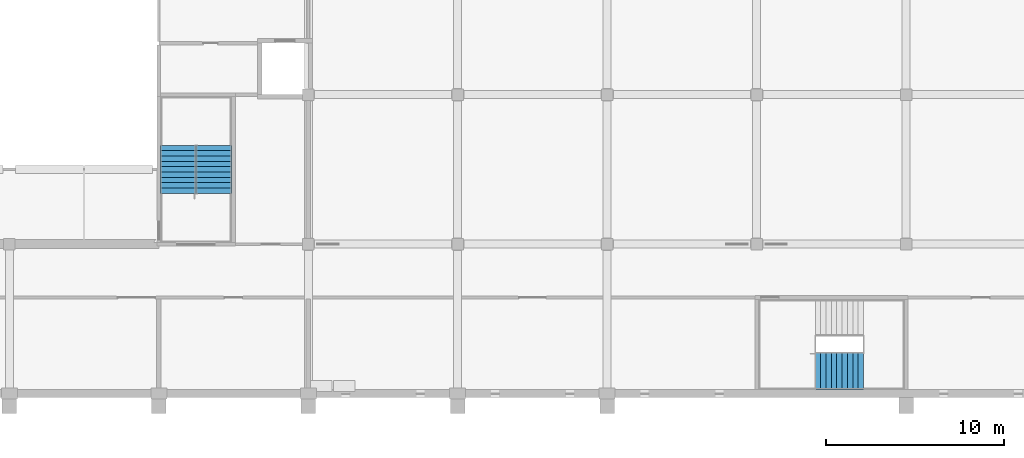
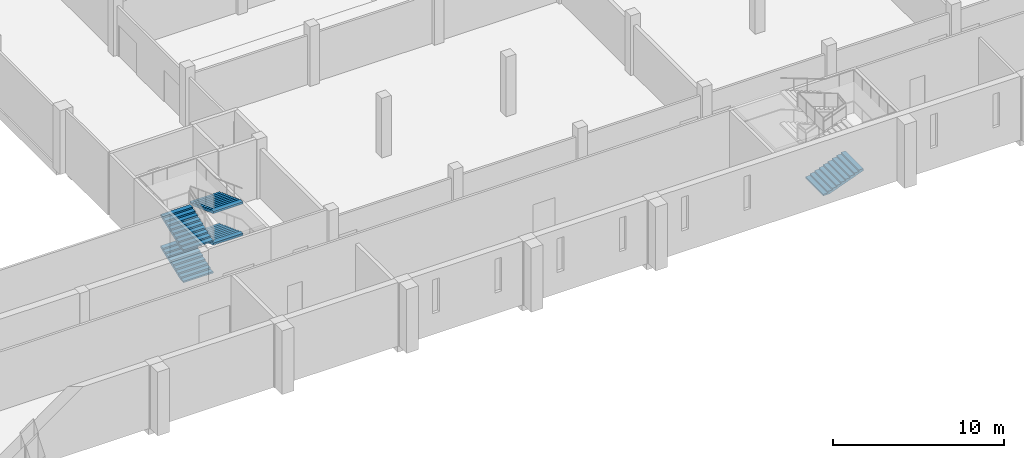
# One storey, part 44 of 64: 5 stair flights, 2 elements without a shape of their own.
"""IFC4 building model written with IfcOpenShell, lengths in metres."""

from ifc_helpers import new_model, si_unit, direction, frame, origin, place, context, subcontext, project, spatial, faceted_brep, material, type_object, element, aggregate, save


model = new_model("IFC4")

# Units and contexts
model_context = context("Model", 3, precision=1e-05, world=origin(), true_north=direction((0.0, 1.0)))
body_context = subcontext(model_context, "Body", "Model", "MODEL_VIEW")
ifc_project = project(units=[si_unit("LENGTHUNIT", "METRE"), si_unit("AREAUNIT", "SQUARE_METRE"), si_unit("VOLUMEUNIT", "CUBIC_METRE"), si_unit("PLANEANGLEUNIT", "RADIAN"), si_unit("MASSUNIT", "GRAM", prefix="KILO")], contexts=[model_context])

# Site, building, storey
site_placement = place(None, origin())
site = spatial("IfcSite", under=ifc_project, at=site_placement, CompositionType="ELEMENT")
building_placement = place(site_placement, origin())
building = spatial("IfcBuilding", under=site, at=building_placement, Name="Rulbaag Community and Learning Centre", CompositionType="ELEMENT")
storey_placement = place(building_placement, frame((0.0, 0.0, 5.39990234375)))
storey = spatial("IfcBuildingStorey", under=building, at=storey_placement, Name="L01", CompositionType="ELEMENT", Elevation=5.39990234375)

# Stair, stair flights
ifc_material = material(Name="Concrete M40", Category="concrete")
stair_type_1 = type_object("IfcStairType", Name="ST-2000 STAIR 2000 WIDE", PredefinedType="HALF_TURN_STAIR", material=ifc_material)
stair_1_placement = place(storey_placement, origin())
stair_1 = element("IfcStair", 1, at=stair_1_placement, inside=storey, type_object=stair_type_1, Name="Stair ST-H2 L01", PredefinedType="HALF_TURN_STAIR")
stair_flight_type_1 = type_object("IfcStairFlightType", Name="FL-2000 FLIGHT 2000 WIDE Concrete M40", PredefinedType="STRAIGHT", material=ifc_material)
stair_flight_1_placement = place(storey_placement, frame((85.10009765625, 11.25, 0.0), z_axis=(0.0, 0.0, 1.0), x_axis=(0.0, 1.0, 0.0)))
stair_flight_1 = element("IfcStairFlight", 2, at=stair_flight_1_placement, type_object=stair_flight_type_1, Name="ST-H2 flight 1", NumberOfRisers=10, NumberOfTreads=9, PredefinedType="STRAIGHT", RiserHeight=0.1125, TreadLength=0.3, context=body_context, shape_type="Brep", body=[
    faceted_brep([(0.3984375, -1.0, 0.0), (2.699951171875, -1.0, 0.863037109375), (2.699951171875, -1.0, 1.012451171875), (2.39990234375, -1.0, 1.012451171875), (2.39990234375, -1.0, 0.89990234375), (2.10009765625, -1.0, 0.89990234375), (2.10009765625, -1.0, 0.78759765625), (1.800048828125, -1.0, 0.78759765625), (1.800048828125, -1.0, 0.675048828125), (1.5, -1.0, 0.675048828125), (1.5, -1.0, 0.5625), (1.199951171875, -1.0, 0.5625), (1.199951171875, -1.0, 0.449951171875), (0.89990234375, -1.0, 0.449951171875), (0.89990234375, -1.0, 0.33740234375), (0.60009765625, -1.0, 0.33740234375), (0.60009765625, -1.0, 0.22509765625), (0.300048828125, -1.0, 0.22509765625), (0.300048828125, -1.0, 0.112548828125), (0.0, -1.0, 0.112548828125), (0.0, -1.0, 0.0), (0.0, 1.0, 0.0), (0.0, 1.0, 0.112548828125), (0.300048828125, 1.0, 0.112548828125), (0.300048828125, 1.0, 0.22509765625), (0.60009765625, 1.0, 0.22509765625), (0.60009765625, 1.0, 0.33740234375), (0.89990234375, 1.0, 0.33740234375), (0.89990234375, 1.0, 0.449951171875), (1.199951171875, 1.0, 0.449951171875), (1.199951171875, 1.0, 0.5625), (1.5, 1.0, 0.5625), (1.5, 1.0, 0.675048828125), (1.800048828125, 1.0, 0.675048828125), (1.800048828125, 1.0, 0.78759765625), (2.10009765625, 1.0, 0.78759765625), (2.10009765625, 1.0, 0.89990234375), (2.39990234375, 1.0, 0.89990234375), (2.39990234375, 1.0, 1.012451171875), (2.699951171875, 1.0, 1.012451171875), (2.699951171875, 1.0, 0.863037109375), (0.3984375, 1.0, 0.0), (0.0, -0.333251953125, 0.112548828125), (0.0, -0.333251953125, 0.0), (0.0, 0.333251953125, 0.112548828125), (0.0, 0.333251953125, 0.0), (0.300048828125, -0.333251953125, 0.112548828125), (0.300048828125, 0.333251953125, 0.112548828125), (0.300048828125, -0.333251953125, 0.22509765625), (0.300048828125, 0.333251953125, 0.22509765625), (0.60009765625, -0.333251953125, 0.22509765625), (0.60009765625, 0.333251953125, 0.22509765625), (0.60009765625, -0.333251953125, 0.33740234375), (0.60009765625, 0.333251953125, 0.33740234375), (0.89990234375, -0.333251953125, 0.33740234375), (0.89990234375, 0.333251953125, 0.33740234375), (0.89990234375, -0.333251953125, 0.449951171875), (0.89990234375, 0.333251953125, 0.449951171875), (1.199951171875, -0.333251953125, 0.449951171875), (1.199951171875, 0.333251953125, 0.449951171875), (1.199951171875, -0.333251953125, 0.5625), (1.199951171875, 0.333251953125, 0.5625), (1.5, -0.333251953125, 0.5625), (1.5, 0.333251953125, 0.5625), (1.5, -0.333251953125, 0.675048828125), (1.5, 0.333251953125, 0.675048828125), (1.800048828125, -0.333251953125, 0.675048828125), (1.800048828125, 0.333251953125, 0.675048828125), (1.800048828125, -0.333251953125, 0.78759765625), (1.800048828125, 0.333251953125, 0.78759765625), (2.10009765625, -0.333251953125, 0.78759765625), (2.10009765625, 0.333251953125, 0.78759765625), (2.10009765625, -0.333251953125, 0.89990234375), (2.10009765625, 0.333251953125, 0.89990234375), (2.39990234375, -0.333251953125, 0.89990234375), (2.39990234375, 0.333251953125, 0.89990234375), (2.39990234375, -0.333251953125, 1.012451171875), (2.39990234375, 0.333251953125, 1.012451171875), (2.699951171875, -0.333251953125, 1.012451171875), (2.699951171875, 0.333251953125, 1.012451171875), (2.699951171875, -0.333251953125, 0.863037109375), (2.699951171875, 0.333251953125, 0.863037109375), (0.3984375, -0.333251953125, 0.0), (0.3984375, 0.333251953125, 0.0)], [[[0, 1, 2, 3, 4, 5, 6, 7, 8, 9, 10, 11, 12, 13, 14, 15, 16, 17, 18, 19, 20]], [[21, 22, 23, 24, 25, 26, 27, 28, 29, 30, 31, 32, 33, 34, 35, 36, 37, 38, 39, 40, 41]], [[20, 19, 42, 43]], [[43, 42, 44, 45]], [[45, 44, 22, 21]], [[19, 18, 46, 42]], [[42, 46, 47, 44]], [[44, 47, 23, 22]], [[18, 17, 48, 46]], [[46, 48, 49, 47]], [[47, 49, 24, 23]], [[17, 16, 50, 48]], [[48, 50, 51, 49]], [[49, 51, 25, 24]], [[16, 15, 52, 50]], [[50, 52, 53, 51]], [[51, 53, 26, 25]], [[15, 14, 54, 52]], [[52, 54, 55, 53]], [[53, 55, 27, 26]], [[14, 13, 56, 54]], [[54, 56, 57, 55]], [[55, 57, 28, 27]], [[13, 12, 58, 56]], [[56, 58, 59, 57]], [[57, 59, 29, 28]], [[12, 11, 60, 58]], [[58, 60, 61, 59]], [[59, 61, 30, 29]], [[11, 10, 62, 60]], [[60, 62, 63, 61]], [[61, 63, 31, 30]], [[10, 9, 64, 62]], [[62, 64, 65, 63]], [[63, 65, 32, 31]], [[9, 8, 66, 64]], [[64, 66, 67, 65]], [[65, 67, 33, 32]], [[8, 7, 68, 66]], [[66, 68, 69, 67]], [[67, 69, 34, 33]], [[7, 6, 70, 68]], [[68, 70, 71, 69]], [[69, 71, 35, 34]], [[6, 5, 72, 70]], [[70, 72, 73, 71]], [[71, 73, 36, 35]], [[5, 4, 74, 72]], [[72, 74, 75, 73]], [[73, 75, 37, 36]], [[4, 3, 76, 74]], [[74, 76, 77, 75]], [[75, 77, 38, 37]], [[3, 2, 78, 76]], [[76, 78, 79, 77]], [[77, 79, 39, 38]], [[2, 1, 80, 78]], [[78, 80, 81, 79]], [[79, 81, 40, 39]], [[1, 0, 82, 80]], [[80, 82, 83, 81]], [[81, 83, 41, 40]], [[0, 20, 43, 82]], [[82, 43, 45, 83]], [[83, 45, 21, 41]]]),
])
stair_flight_2_placement = place(storey_placement, frame((87.10009765625, 13.949951171875, 1.125), z_axis=(0.0, 0.0, 1.0), x_axis=(0.0, -1.0, 0.0)))
stair_flight_2 = element("IfcStairFlight", 3, at=stair_flight_2_placement, type_object=stair_flight_type_1, Name="ST-H2 flight 2", NumberOfRisers=10, NumberOfTreads=9, PredefinedType="STRAIGHT", RiserHeight=0.1125, TreadLength=0.3, context=body_context, shape_type="Brep", body=[
    faceted_brep([(0.3984375, -1.0, 0.0), (2.699951171875, -1.0, 0.863037109375), (2.699951171875, -1.0, 1.012451171875), (2.39990234375, -1.0, 1.012451171875), (2.39990234375, -1.0, 0.89990234375), (2.10009765625, -1.0, 0.89990234375), (2.10009765625, -1.0, 0.78759765625), (1.800048828125, -1.0, 0.78759765625), (1.800048828125, -1.0, 0.675048828125), (1.5, -1.0, 0.675048828125), (1.5, -1.0, 0.5625), (1.199951171875, -1.0, 0.5625), (1.199951171875, -1.0, 0.449951171875), (0.89990234375, -1.0, 0.449951171875), (0.89990234375, -1.0, 0.33740234375), (0.60009765625, -1.0, 0.33740234375), (0.60009765625, -1.0, 0.22509765625), (0.300048828125, -1.0, 0.22509765625), (0.300048828125, -1.0, 0.112548828125), (0.0, -1.0, 0.112548828125), (0.0, -1.0, 0.0), (0.0, 1.0, 0.0), (0.0, 1.0, 0.112548828125), (0.300048828125, 1.0, 0.112548828125), (0.300048828125, 1.0, 0.22509765625), (0.60009765625, 1.0, 0.22509765625), (0.60009765625, 1.0, 0.33740234375), (0.89990234375, 1.0, 0.33740234375), (0.89990234375, 1.0, 0.449951171875), (1.199951171875, 1.0, 0.449951171875), (1.199951171875, 1.0, 0.5625), (1.5, 1.0, 0.5625), (1.5, 1.0, 0.675048828125), (1.800048828125, 1.0, 0.675048828125), (1.800048828125, 1.0, 0.78759765625), (2.10009765625, 1.0, 0.78759765625), (2.10009765625, 1.0, 0.89990234375), (2.39990234375, 1.0, 0.89990234375), (2.39990234375, 1.0, 1.012451171875), (2.699951171875, 1.0, 1.012451171875), (2.699951171875, 1.0, 0.863037109375), (0.3984375, 1.0, 0.0), (0.0, -0.333251953125, 0.112548828125), (0.0, -0.333251953125, 0.0), (0.0, 0.333251953125, 0.112548828125), (0.0, 0.333251953125, 0.0), (0.300048828125, -0.333251953125, 0.112548828125), (0.300048828125, 0.333251953125, 0.112548828125), (0.300048828125, -0.333251953125, 0.22509765625), (0.300048828125, 0.333251953125, 0.22509765625), (0.60009765625, -0.333251953125, 0.22509765625), (0.60009765625, 0.333251953125, 0.22509765625), (0.60009765625, -0.333251953125, 0.33740234375), (0.60009765625, 0.333251953125, 0.33740234375), (0.89990234375, -0.333251953125, 0.33740234375), (0.89990234375, 0.333251953125, 0.33740234375), (0.89990234375, -0.333251953125, 0.449951171875), (0.89990234375, 0.333251953125, 0.449951171875), (1.199951171875, -0.333251953125, 0.449951171875), (1.199951171875, 0.333251953125, 0.449951171875), (1.199951171875, -0.333251953125, 0.5625), (1.199951171875, 0.333251953125, 0.5625), (1.5, -0.333251953125, 0.5625), (1.5, 0.333251953125, 0.5625), (1.5, -0.333251953125, 0.675048828125), (1.5, 0.333251953125, 0.675048828125), (1.800048828125, -0.333251953125, 0.675048828125), (1.800048828125, 0.333251953125, 0.675048828125), (1.800048828125, -0.333251953125, 0.78759765625), (1.800048828125, 0.333251953125, 0.78759765625), (2.10009765625, -0.333251953125, 0.78759765625), (2.10009765625, 0.333251953125, 0.78759765625), (2.10009765625, -0.333251953125, 0.89990234375), (2.10009765625, 0.333251953125, 0.89990234375), (2.39990234375, -0.333251953125, 0.89990234375), (2.39990234375, 0.333251953125, 0.89990234375), (2.39990234375, -0.333251953125, 1.012451171875), (2.39990234375, 0.333251953125, 1.012451171875), (2.699951171875, -0.333251953125, 1.012451171875), (2.699951171875, 0.333251953125, 1.012451171875), (2.699951171875, -0.333251953125, 0.863037109375), (2.699951171875, 0.333251953125, 0.863037109375), (0.3984375, -0.333251953125, 0.0), (0.3984375, 0.333251953125, 0.0)], [[[0, 1, 2, 3, 4, 5, 6, 7, 8, 9, 10, 11, 12, 13, 14, 15, 16, 17, 18, 19, 20]], [[21, 22, 23, 24, 25, 26, 27, 28, 29, 30, 31, 32, 33, 34, 35, 36, 37, 38, 39, 40, 41]], [[20, 19, 42, 43]], [[43, 42, 44, 45]], [[45, 44, 22, 21]], [[19, 18, 46, 42]], [[42, 46, 47, 44]], [[44, 47, 23, 22]], [[18, 17, 48, 46]], [[46, 48, 49, 47]], [[47, 49, 24, 23]], [[17, 16, 50, 48]], [[48, 50, 51, 49]], [[49, 51, 25, 24]], [[16, 15, 52, 50]], [[50, 52, 53, 51]], [[51, 53, 26, 25]], [[15, 14, 54, 52]], [[52, 54, 55, 53]], [[53, 55, 27, 26]], [[14, 13, 56, 54]], [[54, 56, 57, 55]], [[55, 57, 28, 27]], [[13, 12, 58, 56]], [[56, 58, 59, 57]], [[57, 59, 29, 28]], [[12, 11, 60, 58]], [[58, 60, 61, 59]], [[59, 61, 30, 29]], [[11, 10, 62, 60]], [[60, 62, 63, 61]], [[61, 63, 31, 30]], [[10, 9, 64, 62]], [[62, 64, 65, 63]], [[63, 65, 32, 31]], [[9, 8, 66, 64]], [[64, 66, 67, 65]], [[65, 67, 33, 32]], [[8, 7, 68, 66]], [[66, 68, 69, 67]], [[67, 69, 34, 33]], [[7, 6, 70, 68]], [[68, 70, 71, 69]], [[69, 71, 35, 34]], [[6, 5, 72, 70]], [[70, 72, 73, 71]], [[71, 73, 36, 35]], [[5, 4, 74, 72]], [[72, 74, 75, 73]], [[73, 75, 37, 36]], [[4, 3, 76, 74]], [[74, 76, 77, 75]], [[75, 77, 38, 37]], [[3, 2, 78, 76]], [[76, 78, 79, 77]], [[77, 79, 39, 38]], [[2, 1, 80, 78]], [[78, 80, 81, 79]], [[79, 81, 40, 39]], [[1, 0, 82, 80]], [[80, 82, 83, 81]], [[81, 83, 41, 40]], [[0, 20, 43, 82]], [[82, 43, 45, 83]], [[83, 45, 21, 41]]]),
])
stair_flight_3_placement = place(storey_placement, frame((85.10009765625, 11.25, 2.25), z_axis=(0.0, 0.0, 1.0), x_axis=(0.0, 1.0, 0.0)))
stair_flight_3 = element("IfcStairFlight", 4, at=stair_flight_3_placement, type_object=stair_flight_type_1, Name="ST-H2 flight 3", NumberOfRisers=10, NumberOfTreads=9, PredefinedType="STRAIGHT", RiserHeight=0.1125, TreadLength=0.3, context=body_context, shape_type="Brep", body=[
    faceted_brep([(0.3984375, -1.0, 0.0), (2.699951171875, -1.0, 0.863037109375), (2.699951171875, -1.0, 1.012451171875), (2.39990234375, -1.0, 1.012451171875), (2.39990234375, -1.0, 0.89990234375), (2.10009765625, -1.0, 0.89990234375), (2.10009765625, -1.0, 0.78759765625), (1.800048828125, -1.0, 0.78759765625), (1.800048828125, -1.0, 0.675048828125), (1.5, -1.0, 0.675048828125), (1.5, -1.0, 0.5625), (1.199951171875, -1.0, 0.5625), (1.199951171875, -1.0, 0.449951171875), (0.89990234375, -1.0, 0.449951171875), (0.89990234375, -1.0, 0.33740234375), (0.60009765625, -1.0, 0.33740234375), (0.60009765625, -1.0, 0.22509765625), (0.300048828125, -1.0, 0.22509765625), (0.300048828125, -1.0, 0.112548828125), (0.0, -1.0, 0.112548828125), (0.0, -1.0, 0.0), (0.0, 1.0, 0.0), (0.0, 1.0, 0.112548828125), (0.300048828125, 1.0, 0.112548828125), (0.300048828125, 1.0, 0.22509765625), (0.60009765625, 1.0, 0.22509765625), (0.60009765625, 1.0, 0.33740234375), (0.89990234375, 1.0, 0.33740234375), (0.89990234375, 1.0, 0.449951171875), (1.199951171875, 1.0, 0.449951171875), (1.199951171875, 1.0, 0.5625), (1.5, 1.0, 0.5625), (1.5, 1.0, 0.675048828125), (1.800048828125, 1.0, 0.675048828125), (1.800048828125, 1.0, 0.78759765625), (2.10009765625, 1.0, 0.78759765625), (2.10009765625, 1.0, 0.89990234375), (2.39990234375, 1.0, 0.89990234375), (2.39990234375, 1.0, 1.012451171875), (2.699951171875, 1.0, 1.012451171875), (2.699951171875, 1.0, 0.863037109375), (0.3984375, 1.0, 0.0), (0.0, -0.333251953125, 0.112548828125), (0.0, -0.333251953125, 0.0), (0.0, 0.333251953125, 0.112548828125), (0.0, 0.333251953125, 0.0), (0.300048828125, -0.333251953125, 0.112548828125), (0.300048828125, 0.333251953125, 0.112548828125), (0.300048828125, -0.333251953125, 0.22509765625), (0.300048828125, 0.333251953125, 0.22509765625), (0.60009765625, -0.333251953125, 0.22509765625), (0.60009765625, 0.333251953125, 0.22509765625), (0.60009765625, -0.333251953125, 0.33740234375), (0.60009765625, 0.333251953125, 0.33740234375), (0.89990234375, -0.333251953125, 0.33740234375), (0.89990234375, 0.333251953125, 0.33740234375), (0.89990234375, -0.333251953125, 0.449951171875), (0.89990234375, 0.333251953125, 0.449951171875), (1.199951171875, -0.333251953125, 0.449951171875), (1.199951171875, 0.333251953125, 0.449951171875), (1.199951171875, -0.333251953125, 0.5625), (1.199951171875, 0.333251953125, 0.5625), (1.5, -0.333251953125, 0.5625), (1.5, 0.333251953125, 0.5625), (1.5, -0.333251953125, 0.675048828125), (1.5, 0.333251953125, 0.675048828125), (1.800048828125, -0.333251953125, 0.675048828125), (1.800048828125, 0.333251953125, 0.675048828125), (1.800048828125, -0.333251953125, 0.78759765625), (1.800048828125, 0.333251953125, 0.78759765625), (2.10009765625, -0.333251953125, 0.78759765625), (2.10009765625, 0.333251953125, 0.78759765625), (2.10009765625, -0.333251953125, 0.89990234375), (2.10009765625, 0.333251953125, 0.89990234375), (2.39990234375, -0.333251953125, 0.89990234375), (2.39990234375, 0.333251953125, 0.89990234375), (2.39990234375, -0.333251953125, 1.012451171875), (2.39990234375, 0.333251953125, 1.012451171875), (2.699951171875, -0.333251953125, 1.012451171875), (2.699951171875, 0.333251953125, 1.012451171875), (2.699951171875, -0.333251953125, 0.863037109375), (2.699951171875, 0.333251953125, 0.863037109375), (0.3984375, -0.333251953125, 0.0), (0.3984375, 0.333251953125, 0.0)], [[[0, 1, 2, 3, 4, 5, 6, 7, 8, 9, 10, 11, 12, 13, 14, 15, 16, 17, 18, 19, 20]], [[21, 22, 23, 24, 25, 26, 27, 28, 29, 30, 31, 32, 33, 34, 35, 36, 37, 38, 39, 40, 41]], [[20, 19, 42, 43]], [[43, 42, 44, 45]], [[45, 44, 22, 21]], [[19, 18, 46, 42]], [[42, 46, 47, 44]], [[44, 47, 23, 22]], [[18, 17, 48, 46]], [[46, 48, 49, 47]], [[47, 49, 24, 23]], [[17, 16, 50, 48]], [[48, 50, 51, 49]], [[49, 51, 25, 24]], [[16, 15, 52, 50]], [[50, 52, 53, 51]], [[51, 53, 26, 25]], [[15, 14, 54, 52]], [[52, 54, 55, 53]], [[53, 55, 27, 26]], [[14, 13, 56, 54]], [[54, 56, 57, 55]], [[55, 57, 28, 27]], [[13, 12, 58, 56]], [[56, 58, 59, 57]], [[57, 59, 29, 28]], [[12, 11, 60, 58]], [[58, 60, 61, 59]], [[59, 61, 30, 29]], [[11, 10, 62, 60]], [[60, 62, 63, 61]], [[61, 63, 31, 30]], [[10, 9, 64, 62]], [[62, 64, 65, 63]], [[63, 65, 32, 31]], [[9, 8, 66, 64]], [[64, 66, 67, 65]], [[65, 67, 33, 32]], [[8, 7, 68, 66]], [[66, 68, 69, 67]], [[67, 69, 34, 33]], [[7, 6, 70, 68]], [[68, 70, 71, 69]], [[69, 71, 35, 34]], [[6, 5, 72, 70]], [[70, 72, 73, 71]], [[71, 73, 36, 35]], [[5, 4, 74, 72]], [[72, 74, 75, 73]], [[73, 75, 37, 36]], [[4, 3, 76, 74]], [[74, 76, 77, 75]], [[75, 77, 38, 37]], [[3, 2, 78, 76]], [[76, 78, 79, 77]], [[77, 79, 39, 38]], [[2, 1, 80, 78]], [[78, 80, 81, 79]], [[79, 81, 40, 39]], [[1, 0, 82, 80]], [[80, 82, 83, 81]], [[81, 83, 41, 40]], [[0, 20, 43, 82]], [[82, 43, 45, 83]], [[83, 45, 21, 41]]]),
])
stair_flight_4_placement = place(storey_placement, frame((87.10009765625, 13.949951171875, 3.375), z_axis=(0.0, 0.0, 1.0), x_axis=(0.0, -1.0, 0.0)))
stair_flight_4 = element("IfcStairFlight", 5, at=stair_flight_4_placement, type_object=stair_flight_type_1, Name="ST-H2 flight 4", NumberOfRisers=10, NumberOfTreads=9, PredefinedType="STRAIGHT", RiserHeight=0.1125, TreadLength=0.3, context=body_context, shape_type="Brep", body=[
    faceted_brep([(0.3984375, -1.0, 0.0), (2.699951171875, -1.0, 0.863037109375), (2.699951171875, -1.0, 1.012451171875), (2.39990234375, -1.0, 1.012451171875), (2.39990234375, -1.0, 0.89990234375), (2.10009765625, -1.0, 0.89990234375), (2.10009765625, -1.0, 0.78759765625), (1.800048828125, -1.0, 0.78759765625), (1.800048828125, -1.0, 0.675048828125), (1.5, -1.0, 0.675048828125), (1.5, -1.0, 0.5625), (1.199951171875, -1.0, 0.5625), (1.199951171875, -1.0, 0.449951171875), (0.89990234375, -1.0, 0.449951171875), (0.89990234375, -1.0, 0.33740234375), (0.60009765625, -1.0, 0.33740234375), (0.60009765625, -1.0, 0.22509765625), (0.300048828125, -1.0, 0.22509765625), (0.300048828125, -1.0, 0.112548828125), (0.0, -1.0, 0.112548828125), (0.0, -1.0, 0.0), (0.0, 1.0, 0.0), (0.0, 1.0, 0.112548828125), (0.300048828125, 1.0, 0.112548828125), (0.300048828125, 1.0, 0.22509765625), (0.60009765625, 1.0, 0.22509765625), (0.60009765625, 1.0, 0.33740234375), (0.89990234375, 1.0, 0.33740234375), (0.89990234375, 1.0, 0.449951171875), (1.199951171875, 1.0, 0.449951171875), (1.199951171875, 1.0, 0.5625), (1.5, 1.0, 0.5625), (1.5, 1.0, 0.675048828125), (1.800048828125, 1.0, 0.675048828125), (1.800048828125, 1.0, 0.78759765625), (2.10009765625, 1.0, 0.78759765625), (2.10009765625, 1.0, 0.89990234375), (2.39990234375, 1.0, 0.89990234375), (2.39990234375, 1.0, 1.012451171875), (2.699951171875, 1.0, 1.012451171875), (2.699951171875, 1.0, 0.863037109375), (0.3984375, 1.0, 0.0), (0.0, -0.333251953125, 0.112548828125), (0.0, -0.333251953125, 0.0), (0.0, 0.333251953125, 0.112548828125), (0.0, 0.333251953125, 0.0), (0.300048828125, -0.333251953125, 0.112548828125), (0.300048828125, 0.333251953125, 0.112548828125), (0.300048828125, -0.333251953125, 0.22509765625), (0.300048828125, 0.333251953125, 0.22509765625), (0.60009765625, -0.333251953125, 0.22509765625), (0.60009765625, 0.333251953125, 0.22509765625), (0.60009765625, -0.333251953125, 0.33740234375), (0.60009765625, 0.333251953125, 0.33740234375), (0.89990234375, -0.333251953125, 0.33740234375), (0.89990234375, 0.333251953125, 0.33740234375), (0.89990234375, -0.333251953125, 0.449951171875), (0.89990234375, 0.333251953125, 0.449951171875), (1.199951171875, -0.333251953125, 0.449951171875), (1.199951171875, 0.333251953125, 0.449951171875), (1.199951171875, -0.333251953125, 0.5625), (1.199951171875, 0.333251953125, 0.5625), (1.5, -0.333251953125, 0.5625), (1.5, 0.333251953125, 0.5625), (1.5, -0.333251953125, 0.675048828125), (1.5, 0.333251953125, 0.675048828125), (1.800048828125, -0.333251953125, 0.675048828125), (1.800048828125, 0.333251953125, 0.675048828125), (1.800048828125, -0.333251953125, 0.78759765625), (1.800048828125, 0.333251953125, 0.78759765625), (2.10009765625, -0.333251953125, 0.78759765625), (2.10009765625, 0.333251953125, 0.78759765625), (2.10009765625, -0.333251953125, 0.89990234375), (2.10009765625, 0.333251953125, 0.89990234375), (2.39990234375, -0.333251953125, 0.89990234375), (2.39990234375, 0.333251953125, 0.89990234375), (2.39990234375, -0.333251953125, 1.012451171875), (2.39990234375, 0.333251953125, 1.012451171875), (2.699951171875, -0.333251953125, 1.012451171875), (2.699951171875, 0.333251953125, 1.012451171875), (2.699951171875, -0.333251953125, 0.863037109375), (2.699951171875, 0.333251953125, 0.863037109375), (0.3984375, -0.333251953125, 0.0), (0.3984375, 0.333251953125, 0.0)], [[[0, 1, 2, 3, 4, 5, 6, 7, 8, 9, 10, 11, 12, 13, 14, 15, 16, 17, 18, 19, 20]], [[21, 22, 23, 24, 25, 26, 27, 28, 29, 30, 31, 32, 33, 34, 35, 36, 37, 38, 39, 40, 41]], [[20, 19, 42, 43]], [[43, 42, 44, 45]], [[45, 44, 22, 21]], [[19, 18, 46, 42]], [[42, 46, 47, 44]], [[44, 47, 23, 22]], [[18, 17, 48, 46]], [[46, 48, 49, 47]], [[47, 49, 24, 23]], [[17, 16, 50, 48]], [[48, 50, 51, 49]], [[49, 51, 25, 24]], [[16, 15, 52, 50]], [[50, 52, 53, 51]], [[51, 53, 26, 25]], [[15, 14, 54, 52]], [[52, 54, 55, 53]], [[53, 55, 27, 26]], [[14, 13, 56, 54]], [[54, 56, 57, 55]], [[55, 57, 28, 27]], [[13, 12, 58, 56]], [[56, 58, 59, 57]], [[57, 59, 29, 28]], [[12, 11, 60, 58]], [[58, 60, 61, 59]], [[59, 61, 30, 29]], [[11, 10, 62, 60]], [[60, 62, 63, 61]], [[61, 63, 31, 30]], [[10, 9, 64, 62]], [[62, 64, 65, 63]], [[63, 65, 32, 31]], [[9, 8, 66, 64]], [[64, 66, 67, 65]], [[65, 67, 33, 32]], [[8, 7, 68, 66]], [[66, 68, 69, 67]], [[67, 69, 34, 33]], [[7, 6, 70, 68]], [[68, 70, 71, 69]], [[69, 71, 35, 34]], [[6, 5, 72, 70]], [[70, 72, 73, 71]], [[71, 73, 36, 35]], [[5, 4, 74, 72]], [[72, 74, 75, 73]], [[73, 75, 37, 36]], [[4, 3, 76, 74]], [[74, 76, 77, 75]], [[75, 77, 38, 37]], [[3, 2, 78, 76]], [[76, 78, 79, 77]], [[77, 79, 39, 38]], [[2, 1, 80, 78]], [[78, 80, 81, 79]], [[79, 81, 40, 39]], [[1, 0, 82, 80]], [[80, 82, 83, 81]], [[81, 83, 41, 40]], [[0, 20, 43, 82]], [[82, 43, 45, 83]], [[83, 45, 21, 41]]]),
])
aggregate(stair_1, [stair_flight_1, stair_flight_2, stair_flight_3, stair_flight_4])

# Stair, stair flight
stair_type_2 = type_object("IfcStairType", Name="ST-2100 STAIR 2100 WIDE", PredefinedType="HALF_TURN_STAIR", material=ifc_material)
stair_2_placement = place(storey_placement, origin())
stair_2 = element("IfcStair", 6, at=stair_2_placement, inside=storey, type_object=stair_type_2, Name="Stair ST-H11 L01", PredefinedType="HALF_TURN_STAIR")
stair_flight_type_2 = type_object("IfcStairFlightType", Name="FL-2100 FLIGHT 2100 WIDE Concrete M40", PredefinedType="STRAIGHT", material=ifc_material)
stair_flight_5_placement = place(storey_placement, frame((120.89990234375, 1.27490234375, 0.0), z_axis=(0.0, 0.0, 1.0), x_axis=(1.0, 0.0, 0.0)))
stair_flight_5 = element("IfcStairFlight", 7, at=stair_flight_5_placement, type_object=stair_flight_type_2, Name="ST-H11 flight 1", NumberOfRisers=10, NumberOfTreads=9, PredefinedType="STRAIGHT", RiserHeight=0.1125, TreadLength=0.3, context=body_context, shape_type="Brep", body=[
    faceted_brep([(0.3984375, -1.050048828125, 0.0), (2.699951171875, -1.050048828125, 0.863037109375), (2.699951171875, -1.050048828125, 1.012451171875), (2.39990234375, -1.050048828125, 1.012451171875), (2.39990234375, -1.050048828125, 0.89990234375), (2.10009765625, -1.050048828125, 0.89990234375), (2.10009765625, -1.050048828125, 0.78759765625), (1.800048828125, -1.050048828125, 0.78759765625), (1.800048828125, -1.050048828125, 0.675048828125), (1.5, -1.050048828125, 0.675048828125), (1.5, -1.050048828125, 0.5625), (1.199951171875, -1.050048828125, 0.5625), (1.199951171875, -1.050048828125, 0.449951171875), (0.89990234375, -1.050048828125, 0.449951171875), (0.89990234375, -1.050048828125, 0.33740234375), (0.60009765625, -1.050048828125, 0.33740234375), (0.60009765625, -1.050048828125, 0.22509765625), (0.300048828125, -1.050048828125, 0.22509765625), (0.300048828125, -1.050048828125, 0.112548828125), (0.0, -1.050048828125, 0.112548828125), (0.0, -1.050048828125, 0.0), (0.0, 1.050048828125, 0.0), (0.0, 1.050048828125, 0.112548828125), (0.300048828125, 1.050048828125, 0.112548828125), (0.300048828125, 1.050048828125, 0.22509765625), (0.60009765625, 1.050048828125, 0.22509765625), (0.60009765625, 1.050048828125, 0.33740234375), (0.89990234375, 1.050048828125, 0.33740234375), (0.89990234375, 1.050048828125, 0.449951171875), (1.199951171875, 1.050048828125, 0.449951171875), (1.199951171875, 1.050048828125, 0.5625), (1.5, 1.050048828125, 0.5625), (1.5, 1.050048828125, 0.675048828125), (1.800048828125, 1.050048828125, 0.675048828125), (1.800048828125, 1.050048828125, 0.78759765625), (2.10009765625, 1.050048828125, 0.78759765625), (2.10009765625, 1.050048828125, 0.89990234375), (2.39990234375, 1.050048828125, 0.89990234375), (2.39990234375, 1.050048828125, 1.012451171875), (2.699951171875, 1.050048828125, 1.012451171875), (2.699951171875, 1.050048828125, 0.863037109375), (0.3984375, 1.050048828125, 0.0), (0.0, -0.52490234375, 0.112548828125), (0.0, -0.52490234375, 0.0), (0.0, 0.0, 0.112548828125), (0.0, 0.0, 0.0), (0.0, 0.52490234375, 0.112548828125), (0.0, 0.52490234375, 0.0), (0.300048828125, -0.52490234375, 0.112548828125), (0.300048828125, 0.0, 0.112548828125), (0.300048828125, 0.52490234375, 0.112548828125), (0.300048828125, -0.52490234375, 0.22509765625), (0.300048828125, 0.0, 0.22509765625), (0.300048828125, 0.52490234375, 0.22509765625), (0.60009765625, -0.52490234375, 0.22509765625), (0.60009765625, 0.0, 0.22509765625), (0.60009765625, 0.52490234375, 0.22509765625), (0.60009765625, -0.52490234375, 0.33740234375), (0.60009765625, 0.0, 0.33740234375), (0.60009765625, 0.52490234375, 0.33740234375), (0.89990234375, -0.52490234375, 0.33740234375), (0.89990234375, 0.0, 0.33740234375), (0.89990234375, 0.52490234375, 0.33740234375), (0.89990234375, -0.52490234375, 0.449951171875), (0.89990234375, 0.0, 0.449951171875), (0.89990234375, 0.52490234375, 0.449951171875), (1.199951171875, -0.52490234375, 0.449951171875), (1.199951171875, 0.0, 0.449951171875), (1.199951171875, 0.52490234375, 0.449951171875), (1.199951171875, -0.52490234375, 0.5625), (1.199951171875, 0.0, 0.5625), (1.199951171875, 0.52490234375, 0.5625), (1.5, -0.52490234375, 0.5625), (1.5, 0.0, 0.5625), (1.5, 0.52490234375, 0.5625), (1.5, -0.52490234375, 0.675048828125), (1.5, 0.0, 0.675048828125), (1.5, 0.52490234375, 0.675048828125), (1.800048828125, -0.52490234375, 0.675048828125), (1.800048828125, 0.0, 0.675048828125), (1.800048828125, 0.52490234375, 0.675048828125), (1.800048828125, -0.52490234375, 0.78759765625), (1.800048828125, 0.0, 0.78759765625), (1.800048828125, 0.52490234375, 0.78759765625), (2.10009765625, -0.52490234375, 0.78759765625), (2.10009765625, 0.0, 0.78759765625), (2.10009765625, 0.52490234375, 0.78759765625), (2.10009765625, -0.52490234375, 0.89990234375), (2.10009765625, 0.0, 0.89990234375), (2.10009765625, 0.52490234375, 0.89990234375), (2.39990234375, -0.52490234375, 0.89990234375), (2.39990234375, 0.0, 0.89990234375), (2.39990234375, 0.52490234375, 0.89990234375), (2.39990234375, -0.52490234375, 1.012451171875), (2.39990234375, 0.0, 1.012451171875), (2.39990234375, 0.52490234375, 1.012451171875), (2.699951171875, -0.52490234375, 1.012451171875), (2.699951171875, 0.0, 1.012451171875), (2.699951171875, 0.52490234375, 1.012451171875), (2.699951171875, -0.52490234375, 0.863037109375), (2.699951171875, 0.0, 0.863037109375), (2.699951171875, 0.52490234375, 0.863037109375), (0.3984375, -0.52490234375, 0.0), (0.3984375, 0.0, 0.0), (0.3984375, 0.52490234375, 0.0)], [[[0, 1, 2, 3, 4, 5, 6, 7, 8, 9, 10, 11, 12, 13, 14, 15, 16, 17, 18, 19, 20]], [[21, 22, 23, 24, 25, 26, 27, 28, 29, 30, 31, 32, 33, 34, 35, 36, 37, 38, 39, 40, 41]], [[20, 19, 42, 43]], [[43, 42, 44, 45]], [[45, 44, 46, 47]], [[47, 46, 22, 21]], [[19, 18, 48, 42]], [[42, 48, 49, 44]], [[44, 49, 50, 46]], [[46, 50, 23, 22]], [[18, 17, 51, 48]], [[48, 51, 52, 49]], [[49, 52, 53, 50]], [[50, 53, 24, 23]], [[17, 16, 54, 51]], [[51, 54, 55, 52]], [[52, 55, 56, 53]], [[53, 56, 25, 24]], [[16, 15, 57, 54]], [[54, 57, 58, 55]], [[55, 58, 59, 56]], [[56, 59, 26, 25]], [[15, 14, 60, 57]], [[57, 60, 61, 58]], [[58, 61, 62, 59]], [[59, 62, 27, 26]], [[14, 13, 63, 60]], [[60, 63, 64, 61]], [[61, 64, 65, 62]], [[62, 65, 28, 27]], [[13, 12, 66, 63]], [[63, 66, 67, 64]], [[64, 67, 68, 65]], [[65, 68, 29, 28]], [[12, 11, 69, 66]], [[66, 69, 70, 67]], [[67, 70, 71, 68]], [[68, 71, 30, 29]], [[11, 10, 72, 69]], [[69, 72, 73, 70]], [[70, 73, 74, 71]], [[71, 74, 31, 30]], [[10, 9, 75, 72]], [[72, 75, 76, 73]], [[73, 76, 77, 74]], [[74, 77, 32, 31]], [[9, 8, 78, 75]], [[75, 78, 79, 76]], [[76, 79, 80, 77]], [[77, 80, 33, 32]], [[8, 7, 81, 78]], [[78, 81, 82, 79]], [[79, 82, 83, 80]], [[80, 83, 34, 33]], [[7, 6, 84, 81]], [[81, 84, 85, 82]], [[82, 85, 86, 83]], [[83, 86, 35, 34]], [[6, 5, 87, 84]], [[84, 87, 88, 85]], [[85, 88, 89, 86]], [[86, 89, 36, 35]], [[5, 4, 90, 87]], [[87, 90, 91, 88]], [[88, 91, 92, 89]], [[89, 92, 37, 36]], [[4, 3, 93, 90]], [[90, 93, 94, 91]], [[91, 94, 95, 92]], [[92, 95, 38, 37]], [[3, 2, 96, 93]], [[93, 96, 97, 94]], [[94, 97, 98, 95]], [[95, 98, 39, 38]], [[2, 1, 99, 96]], [[96, 99, 100, 97]], [[97, 100, 101, 98]], [[98, 101, 40, 39]], [[1, 0, 102, 99]], [[99, 102, 103, 100]], [[100, 103, 104, 101]], [[101, 104, 41, 40]], [[0, 20, 43, 102]], [[102, 43, 45, 103]], [[103, 45, 47, 104]], [[104, 47, 21, 41]]]),
])
aggregate(stair_2, [stair_flight_5])

save(model, "model.ifc")
